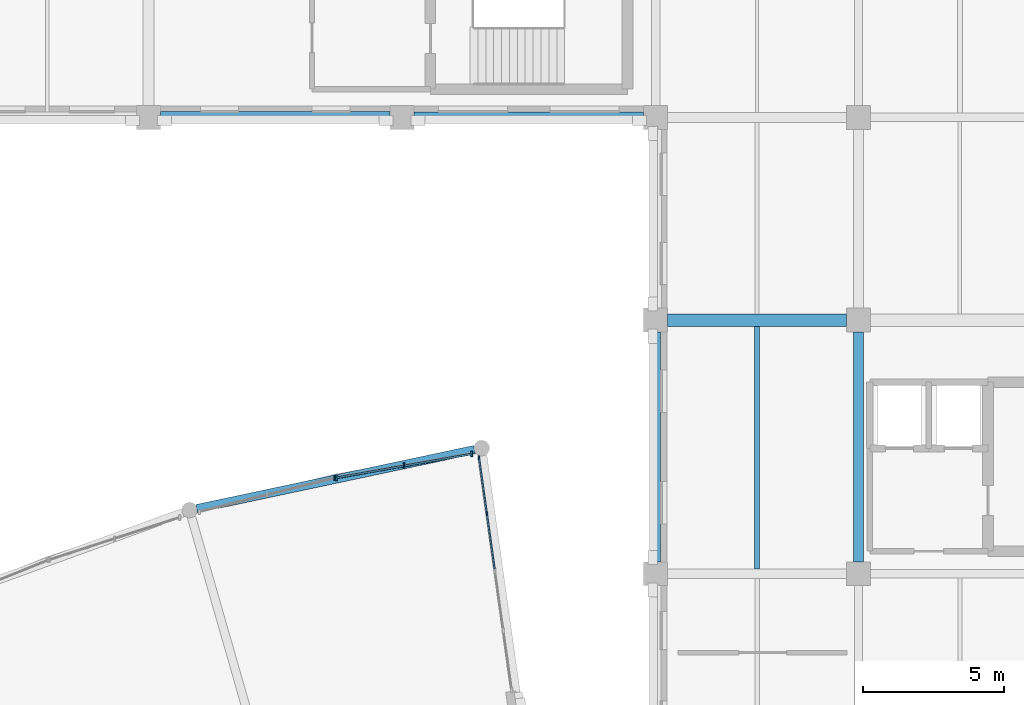
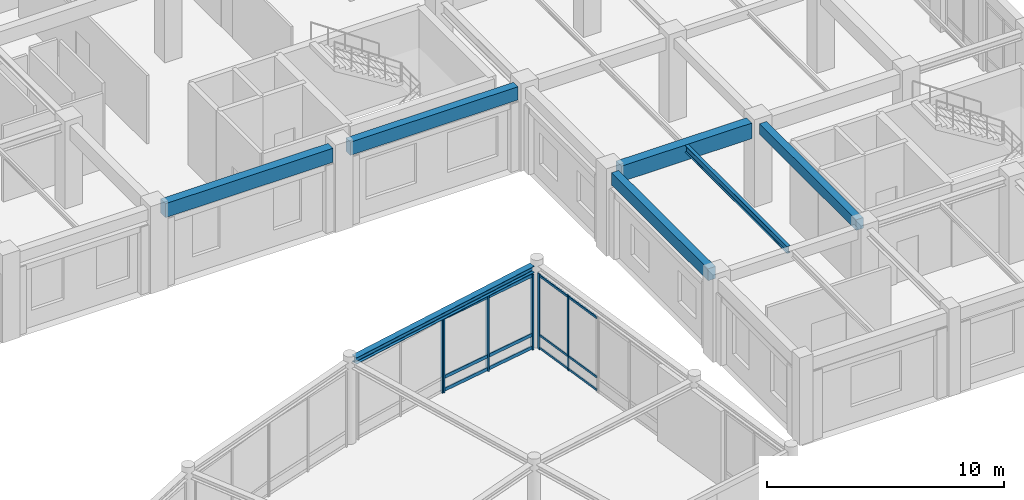
# One storey, part 25 of 62: 18 members, 7 beams, 3 elements without a shape of their own.
"""IFC4 building model written with IfcOpenShell, lengths in metres."""

from ifc_helpers import new_model, si_unit, direction, frame, origin, origin_2d, place, context, subcontext, project, spatial, rectangle, i_section, extrude, material, material_profile, profile_set, type_object, element, aggregate, save


model = new_model("IFC4")

# Units and contexts
model_context = context("Model", 3, precision=1e-05, world=origin(), true_north=direction((0.0, 1.0)))
body_context = subcontext(model_context, "Body", "Model", "MODEL_VIEW")
ifc_project = project(units=[si_unit("LENGTHUNIT", "METRE"), si_unit("AREAUNIT", "SQUARE_METRE"), si_unit("VOLUMEUNIT", "CUBIC_METRE"), si_unit("PLANEANGLEUNIT", "RADIAN"), si_unit("MASSUNIT", "GRAM", prefix="KILO")], contexts=[model_context])

# Site, building, storey
site_placement = place(None, origin())
site = spatial("IfcSite", under=ifc_project, at=site_placement, CompositionType="ELEMENT")
building_placement = place(site_placement, origin())
building = spatial("IfcBuilding", under=site, at=building_placement, Name="Clarverna Civic Hall", CompositionType="ELEMENT")
storey_placement = place(building_placement, frame((0.0, 0.0, 5.10009765625)))
storey = spatial("IfcBuildingStorey", under=building, at=storey_placement, Name="L01", CompositionType="ELEMENT", Elevation=5.10009765625)

# Beams
ifc_material_1 = material(Name="Concrete C35/45", Category="concrete")
ifc_material_profile_1 = material_profile(ifc_material_1, rectangle(XDim=0.449951171875, YDim=0.800048828125, at=origin_2d()), Name="RC 450x800")
ifc_profile_set_1 = profile_set([ifc_material_profile_1], Name="Concrete C35/45")
beam_type_1 = type_object("IfcBeamType", Name="B-RC2", PredefinedType="BEAM", material=ifc_profile_set_1)
beam_1_placement = place(storey_placement, frame((148.02490234375, 87.800048828125, 3.81982421875), z_axis=(1.0, 0.0, 0.0), x_axis=(0.0, 1.0, 0.0)))
element("IfcBeam", 1, at=beam_1_placement, inside=storey, type_object=beam_type_1, Name="B-RC2-020", PredefinedType="BEAM", context=body_context, shape_type="SweptSolid", body=[
    extrude(rectangle(XDim=0.449951171875, YDim=0.800048828125, at=origin_2d()), origin(), (0.0, 0.0, 1.0), 6.35009765625),
])
ifc_material_profile_2 = material_profile(ifc_material_1, rectangle(XDim=0.35009765625, YDim=0.550048828125, at=origin_2d()), Name="RC 350x550")
ifc_profile_set_2 = profile_set([ifc_material_profile_2], Name="Concrete C35/45")
beam_type_2 = type_object("IfcBeamType", Name="B-RC9", PredefinedType="BEAM", material=ifc_profile_set_2)
beam_2_placement = place(storey_placement, frame((154.800048828125, 79.22509765625, 3.94482421875), z_axis=(0.0, 1.0, 0.0), x_axis=(-1.0, 0.0, 0.0)))
element("IfcBeam", 2, at=beam_2_placement, inside=storey, type_object=beam_type_2, Name="B-RC9-032", PredefinedType="BEAM", context=body_context, shape_type="SweptSolid", body=[
    extrude(rectangle(XDim=0.35009765625, YDim=0.550048828125, at=origin_2d()), origin(), (0.0, 0.0, 1.0), 8.14990234375),
])
ifc_material_profile_3 = material_profile(ifc_material_1, rectangle(XDim=0.419921875, YDim=0.719970703125, at=origin_2d()), Name="RC 420x720")
ifc_profile_set_3 = profile_set([ifc_material_profile_3], Name="Concrete C35/45")
beam_type_3 = type_object("IfcBeamType", Name="B-SP1", PredefinedType="SPANDREL", material=ifc_profile_set_3)
beam_3_placement = place(storey_placement, frame((130.02490234375, 95.0, 3.85986328125), z_axis=(1.0, 0.0, 0.0), x_axis=(0.0, 1.0, 0.0)))
element("IfcBeam", 3, at=beam_3_placement, inside=storey, type_object=beam_type_3, Name="B-SP1-063", PredefinedType="SPANDREL", context=body_context, shape_type="SweptSolid", body=[
    extrude(rectangle(XDim=0.419921875, YDim=0.719970703125, at=origin_2d()), origin(), (0.0, 0.0, 1.0), 8.150146484375),
])
ifc_material_profile_4 = material_profile(ifc_material_1, rectangle(XDim=0.3798828125, YDim=0.679931640625, at=origin_2d()), Name="RC 380x680")
ifc_profile_set_4 = profile_set([ifc_material_profile_4], Name="Concrete C35/45")
beam_type_4 = type_object("IfcBeamType", Name="B-SP2", PredefinedType="SPANDREL", material=ifc_profile_set_4)
beam_4_placement = place(storey_placement, frame((139.02490234375, 95.0, 3.8798828125), z_axis=(1.0, 0.0, 0.0), x_axis=(0.0, 1.0, 0.0)))
element("IfcBeam", 4, at=beam_4_placement, inside=storey, type_object=beam_type_4, Name="B-SP2-064", PredefinedType="SPANDREL", context=body_context, shape_type="SweptSolid", body=[
    extrude(rectangle(XDim=0.3798828125, YDim=0.679931640625, at=origin_2d()), origin(), (0.0, 0.0, 1.0), 8.150146484375),
])
ifc_material_profile_5 = material_profile(ifc_material_1, rectangle(XDim=0.360107421875, YDim=0.6201171875, at=origin_2d()), Name="RC 360x620")
ifc_profile_set_5 = profile_set([ifc_material_profile_5], Name="Concrete C35/45")
beam_type_5 = type_object("IfcBeamType", Name="B-SP3", PredefinedType="SPANDREL", material=ifc_profile_set_5)
beam_5_placement = place(storey_placement, frame((147.60009765625, 79.22509765625, 3.909912109375), z_axis=(0.0, 1.0, 0.0), x_axis=(-1.0, 0.0, 0.0)))
element("IfcBeam", 5, at=beam_5_placement, inside=storey, type_object=beam_type_5, Name="B-SP3-080", PredefinedType="SPANDREL", context=body_context, shape_type="SweptSolid", body=[
    extrude(rectangle(XDim=0.360107421875, YDim=0.6201171875, at=origin_2d()), origin(), (0.0, 0.0, 1.0), 8.14990234375),
])
ifc_material_2 = material(Name="Steel S355", Category="steel")
ifc_material_profile_6 = material_profile(ifc_material_2, i_section(OverallWidth=0.300048828125, OverallDepth=0.330078125, WebThickness=0.009521484375, FlangeThickness=0.0166015625, FilletRadius=0.027099609375, at=origin_2d()), Name="HEA 340")
ifc_profile_set_6 = profile_set([ifc_material_profile_6], Name="Steel S355")
beam_type_6 = type_object("IfcBeamType", Name="B-ST8", PredefinedType="BEAM", material=ifc_profile_set_6)
beam_6_placement = place(storey_placement, frame((141.16845703125, 83.206298828125, 4.054931640625), z_axis=(-0.978150788685, -0.207896692122, 0.0), x_axis=(0.207896692122, -0.978150788685, 0.0)))
element("IfcBeam", 6, at=beam_6_placement, inside=storey, type_object=beam_type_6, Name="B-ST8-067", PredefinedType="BEAM", context=body_context, shape_type="SweptSolid", body=[
    extrude(i_section(OverallWidth=0.300048828125, OverallDepth=0.330078125, WebThickness=0.009521484375, FlangeThickness=0.0166015625, FilletRadius=0.027099609375, at=origin_2d()), origin(), (0.0, 0.0, 1.0), 10.082763671875),
])

# Curtain wall, member
ifc_material_3 = material(Name="Anodised Bronze Architectural Aluminium", Category="aluminium")
curtain_wall_type = type_object("IfcCurtainWallType", Name="CW-03", PredefinedType="USERDEFINED", material=ifc_material_3)
curtain_wall_1_placement = place(storey_placement, origin())
curtain_wall_1 = element("IfcCurtainWall", 7, at=curtain_wall_1_placement, inside=storey, type_object=curtain_wall_type, Name="CW-03-034", ObjectType="UNITISED CURTAIN WALL", PredefinedType="USERDEFINED")
ifc_material_profile_7 = material_profile(ifc_material_3, rectangle(XDim=0.06005859375, YDim=0.159912109375, at=origin_2d()), Name="BRONZE 60x160")
ifc_profile_set_7 = profile_set([ifc_material_profile_7], Name="Anodised Bronze Architectural Aluminium")
member_type_1 = type_object("IfcMemberType", Name="CWM-02", PredefinedType="MULLION", material=ifc_profile_set_7)
member_1_placement = place(storey_placement, frame((136.20068359375, 82.1953125, 0.0), z_axis=(0.0, 0.0, 1.0), x_axis=(1.0, 0.0, 0.0)))
member_1 = element("IfcMember", 8, at=member_1_placement, type_object=member_type_1, Name="CWM-02-061", PredefinedType="MULLION", context=body_context, shape_type="SweptSolid", body=[
    extrude(rectangle(XDim=0.06005859375, YDim=0.159912109375, at=origin_2d()), origin(), (0.0, 0.0, 1.0), 3.889892578125),
])
aggregate(curtain_wall_1, [member_1])

# Curtain wall, members
curtain_wall_2_placement = place(storey_placement, origin())
curtain_wall_2 = element("IfcCurtainWall", 9, at=curtain_wall_2_placement, inside=storey, type_object=curtain_wall_type, Name="CW-03-035", ObjectType="UNITISED CURTAIN WALL", PredefinedType="USERDEFINED")
ifc_material_profile_8 = material_profile(ifc_material_3, rectangle(XDim=0.06494140625, YDim=0.199951171875, at=origin_2d()), Name="BRONZE 65x200")
ifc_profile_set_8 = profile_set([ifc_material_profile_8], Name="Anodised Bronze Architectural Aluminium")
member_type_2 = type_object("IfcMemberType", Name="CWM-03", PredefinedType="MULLION", material=ifc_profile_set_8)
member_2_placement = place(storey_placement, frame((136.255615234375, 82.20703125, 0.0), z_axis=(0.0, 0.0, 1.0), x_axis=(1.0, 0.0, 0.0)))
member_2 = element("IfcMember", 10, at=member_2_placement, type_object=member_type_2, Name="CWM-03-047", PredefinedType="MULLION", context=body_context, shape_type="SweptSolid", body=[
    extrude(rectangle(XDim=0.06494140625, YDim=0.199951171875, at=origin_2d()), origin(), (0.0, 0.0, 1.0), 3.889892578125),
])
member_3_placement = place(storey_placement, frame((138.665283203125, 82.632080078125, 0.0), z_axis=(0.0, 0.0, 1.0), x_axis=(1.0, 0.0, 0.0)))
member_3 = element("IfcMember", 11, at=member_3_placement, type_object=member_type_2, Name="CWM-03-048", PredefinedType="MULLION", context=body_context, shape_type="SweptSolid", body=[
    extrude(rectangle(XDim=0.06494140625, YDim=0.199951171875, at=origin_2d()), origin(), (0.0, 0.0, 1.0), 3.889892578125),
])
member_4_placement = place(storey_placement, frame((141.0751953125, 83.056884765625, 0.0), z_axis=(0.0, 0.0, 1.0), x_axis=(1.0, 0.0, 0.0)))
member_4 = element("IfcMember", 12, at=member_4_placement, type_object=member_type_2, Name="CWM-03-049", PredefinedType="MULLION", context=body_context, shape_type="SweptSolid", body=[
    extrude(rectangle(XDim=0.06494140625, YDim=0.199951171875, at=origin_2d()), origin(), (0.0, 0.0, 1.0), 3.889892578125),
])

curtain_wall_3_placement = place(storey_placement, origin())
curtain_wall_3 = element("IfcCurtainWall", 13, at=curtain_wall_3_placement, inside=storey, type_object=curtain_wall_type, Name="CW-03-036", ObjectType="UNITISED CURTAIN WALL", PredefinedType="USERDEFINED")
ifc_material_profile_9 = material_profile(ifc_material_3, rectangle(XDim=0.054931640625, YDim=0.139892578125, at=origin_2d()), Name="BRONZE 55x140")
ifc_profile_set_9 = profile_set([ifc_material_profile_9], Name="Anodised Bronze Architectural Aluminium")
member_type_3 = type_object("IfcMemberType", Name="CWM-04", PredefinedType="MULLION", material=ifc_profile_set_9)
member_5_placement = place(storey_placement, frame((141.330322265625, 82.91259765625, 0.0), z_axis=(0.0, 0.0, 1.0), x_axis=(1.0, 0.0, 0.0)))
member_5 = element("IfcMember", 14, at=member_5_placement, type_object=member_type_3, Name="CWM-04-060", PredefinedType="MULLION", context=body_context, shape_type="SweptSolid", body=[
    extrude(rectangle(XDim=0.054931640625, YDim=0.139892578125, at=origin_2d()), origin(), (0.0, 0.0, 1.0), 3.889892578125),
])
member_6_placement = place(storey_placement, frame((141.607666015625, 80.939208984375, 0.0), z_axis=(0.0, 0.0, 1.0), x_axis=(1.0, 0.0, 0.0)))
member_6 = element("IfcMember", 15, at=member_6_placement, type_object=member_type_3, Name="CWM-04-061", PredefinedType="MULLION", context=body_context, shape_type="SweptSolid", body=[
    extrude(rectangle(XDim=0.054931640625, YDim=0.139892578125, at=origin_2d()), origin(), (0.0, 0.0, 1.0), 3.889892578125),
])

# Member
ifc_material_profile_10 = material_profile(ifc_material_3, rectangle(XDim=0.06494140625, YDim=0.169921875, at=origin_2d()), Name="BRONZE 65x170")
ifc_profile_set_10 = profile_set([ifc_material_profile_10], Name="Anodised Bronze Architectural Aluminium")
member_type_4 = type_object("IfcMemberType", Name="CWT-03", PredefinedType="USERDEFINED", material=ifc_profile_set_10)
member_7_placement = place(storey_placement, frame((136.270263671875, 82.209716796875, 0.094970703125), z_axis=(0.98481100125, 0.17362975499, 0.0), x_axis=(-0.17362975499, 0.98481100125, 0.0)))
member_7 = element("IfcMember", 16, at=member_7_placement, type_object=member_type_4, Name="CWT-03-097", ObjectType="TRANSOM", PredefinedType="USERDEFINED", context=body_context, shape_type="SweptSolid", body=[
    extrude(rectangle(XDim=0.06494140625, YDim=0.169921875, at=origin_2d()), origin(), (0.0, 0.0, 1.0), 2.4169921875),
])

member_8_placement = place(storey_placement, frame((136.270263671875, 82.209716796875, 0.75), z_axis=(0.98481100125, 0.17362975499, 0.0), x_axis=(-0.17362975499, 0.98481100125, 0.0)))
member_8 = element("IfcMember", 17, at=member_8_placement, type_object=member_type_4, Name="CWT-03-098", ObjectType="TRANSOM", PredefinedType="USERDEFINED", context=body_context, shape_type="SweptSolid", body=[
    extrude(rectangle(XDim=0.06494140625, YDim=0.169921875, at=origin_2d()), origin(), (0.0, 0.0, 1.0), 2.4169921875),
])

member_9_placement = place(storey_placement, frame((136.270263671875, 82.209716796875, 3.794921875), z_axis=(0.98481100125, 0.17362975499, 0.0), x_axis=(-0.17362975499, 0.98481100125, 0.0)))
member_9 = element("IfcMember", 18, at=member_9_placement, type_object=member_type_4, Name="CWT-03-099", ObjectType="TRANSOM", PredefinedType="USERDEFINED", context=body_context, shape_type="SweptSolid", body=[
    extrude(rectangle(XDim=0.06494140625, YDim=0.169921875, at=origin_2d()), origin(), (0.0, 0.0, 1.0), 2.4169921875),
])

member_10_placement = place(storey_placement, frame((138.68017578125, 82.634521484375, 0.094970703125), z_axis=(0.984793725369, 0.173727713604, 0.0), x_axis=(-0.173727713604, 0.984793725369, 0.0)))
member_10 = element("IfcMember", 19, at=member_10_placement, type_object=member_type_4, Name="CWT-03-100", ObjectType="TRANSOM", PredefinedType="USERDEFINED", context=body_context, shape_type="SweptSolid", body=[
    extrude(rectangle(XDim=0.06494140625, YDim=0.169921875, at=origin_2d()), origin(), (0.0, 0.0, 1.0), 2.417236328125),
])

member_11_placement = place(storey_placement, frame((138.68017578125, 82.634521484375, 0.75), z_axis=(0.984793725369, 0.173727713604, 0.0), x_axis=(-0.173727713604, 0.984793725369, 0.0)))
member_11 = element("IfcMember", 20, at=member_11_placement, type_object=member_type_4, Name="CWT-03-101", ObjectType="TRANSOM", PredefinedType="USERDEFINED", context=body_context, shape_type="SweptSolid", body=[
    extrude(rectangle(XDim=0.06494140625, YDim=0.169921875, at=origin_2d()), origin(), (0.0, 0.0, 1.0), 2.417236328125),
])

member_12_placement = place(storey_placement, frame((138.68017578125, 82.634521484375, 3.794921875), z_axis=(0.984793725369, 0.173727713604, 0.0), x_axis=(-0.173727713604, 0.984793725369, 0.0)))
member_12 = element("IfcMember", 21, at=member_12_placement, type_object=member_type_4, Name="CWT-03-102", ObjectType="TRANSOM", PredefinedType="USERDEFINED", context=body_context, shape_type="SweptSolid", body=[
    extrude(rectangle(XDim=0.06494140625, YDim=0.169921875, at=origin_2d()), origin(), (0.0, 0.0, 1.0), 2.417236328125),
])

aggregate(curtain_wall_2, [member_2, member_3, member_4, member_7, member_8, member_9, member_10, member_11, member_12])

ifc_material_profile_11 = material_profile(ifc_material_3, rectangle(XDim=0.054931640625, YDim=0.110107421875, at=origin_2d()), Name="BRONZE 55x110")
ifc_profile_set_11 = profile_set([ifc_material_profile_11], Name="Anodised Bronze Architectural Aluminium")
member_type_5 = type_object("IfcMemberType", Name="CWT-04", PredefinedType="USERDEFINED", material=ifc_profile_set_11)
member_13_placement = place(storey_placement, frame((141.33251953125, 82.897705078125, 0.094970703125), z_axis=(0.139191936508, -0.990265421395, 0.0), x_axis=(0.990265421395, 0.139191936508, 0.0)))
member_13 = element("IfcMember", 22, at=member_13_placement, type_object=member_type_5, Name="CWT-04-124", ObjectType="TRANSOM", PredefinedType="USERDEFINED", context=body_context, shape_type="SweptSolid", body=[
    extrude(rectangle(XDim=0.054931640625, YDim=0.110107421875, at=origin_2d()), origin(), (0.0, 0.0, 1.0), 1.962646484375),
])

member_14_placement = place(storey_placement, frame((141.33251953125, 82.897705078125, 0.75), z_axis=(0.139191936508, -0.990265421395, 0.0), x_axis=(0.990265421395, 0.139191936508, 0.0)))
member_14 = element("IfcMember", 23, at=member_14_placement, type_object=member_type_5, Name="CWT-04-125", ObjectType="TRANSOM", PredefinedType="USERDEFINED", context=body_context, shape_type="SweptSolid", body=[
    extrude(rectangle(XDim=0.054931640625, YDim=0.110107421875, at=origin_2d()), origin(), (0.0, 0.0, 1.0), 1.962646484375),
])

member_15_placement = place(storey_placement, frame((141.33251953125, 82.897705078125, 3.794921875), z_axis=(0.139191936508, -0.990265421395, 0.0), x_axis=(0.990265421395, 0.139191936508, 0.0)))
member_15 = element("IfcMember", 24, at=member_15_placement, type_object=member_type_5, Name="CWT-04-126", ObjectType="TRANSOM", PredefinedType="USERDEFINED", context=body_context, shape_type="SweptSolid", body=[
    extrude(rectangle(XDim=0.054931640625, YDim=0.110107421875, at=origin_2d()), origin(), (0.0, 0.0, 1.0), 1.962646484375),
])

member_16_placement = place(storey_placement, frame((141.609619140625, 80.92431640625, 0.094970703125), z_axis=(0.139191936508, -0.990265421395, 0.0), x_axis=(0.990265421395, 0.139191936508, 0.0)))
member_16 = element("IfcMember", 25, at=member_16_placement, type_object=member_type_5, Name="CWT-04-127", ObjectType="TRANSOM", PredefinedType="USERDEFINED", context=body_context, shape_type="SweptSolid", body=[
    extrude(rectangle(XDim=0.054931640625, YDim=0.110107421875, at=origin_2d()), origin(), (0.0, 0.0, 1.0), 1.962646484375),
])

member_17_placement = place(storey_placement, frame((141.609619140625, 80.92431640625, 0.75), z_axis=(0.139191936508, -0.990265421395, 0.0), x_axis=(0.990265421395, 0.139191936508, 0.0)))
member_17 = element("IfcMember", 26, at=member_17_placement, type_object=member_type_5, Name="CWT-04-128", ObjectType="TRANSOM", PredefinedType="USERDEFINED", context=body_context, shape_type="SweptSolid", body=[
    extrude(rectangle(XDim=0.054931640625, YDim=0.110107421875, at=origin_2d()), origin(), (0.0, 0.0, 1.0), 1.962646484375),
])

member_18_placement = place(storey_placement, frame((141.609619140625, 80.92431640625, 3.794921875), z_axis=(0.139191936508, -0.990265421395, 0.0), x_axis=(0.990265421395, 0.139191936508, 0.0)))
member_18 = element("IfcMember", 27, at=member_18_placement, type_object=member_type_5, Name="CWT-04-129", ObjectType="TRANSOM", PredefinedType="USERDEFINED", context=body_context, shape_type="SweptSolid", body=[
    extrude(rectangle(XDim=0.054931640625, YDim=0.110107421875, at=origin_2d()), origin(), (0.0, 0.0, 1.0), 1.962646484375),
])

aggregate(curtain_wall_3, [member_5, member_6, member_13, member_14, member_15, member_16, member_17, member_18])

# Beam
ifc_material_profile_12 = material_profile(ifc_material_2, i_section(OverallWidth=0.169921875, OverallDepth=0.360107421875, WebThickness=0.008056640625, FlangeThickness=0.0126953125, FilletRadius=0.01806640625, at=origin_2d()), Name="IPE 360")
ifc_profile_set_12 = profile_set([ifc_material_profile_12], Name="Steel S355")
beam_type_7 = type_object("IfcBeamType", Name="J-ST1", PredefinedType="JOIST", material=ifc_profile_set_12)
beam_7_placement = place(storey_placement, frame((151.199951171875, 78.97509765625, 4.039794921875), z_axis=(0.0, 1.0, 0.0), x_axis=(-1.0, 0.0, 0.0)))
element("IfcBeam", 28, at=beam_7_placement, inside=storey, type_object=beam_type_7, Name="J-ST1-042", PredefinedType="JOIST", context=body_context, shape_type="SweptSolid", body=[
    extrude(i_section(OverallWidth=0.169921875, OverallDepth=0.360107421875, WebThickness=0.008056640625, FlangeThickness=0.0126953125, FilletRadius=0.01806640625, at=origin_2d()), origin(), (0.0, 0.0, 1.0), 8.599853515625),
])

save(model, "model.ifc")
